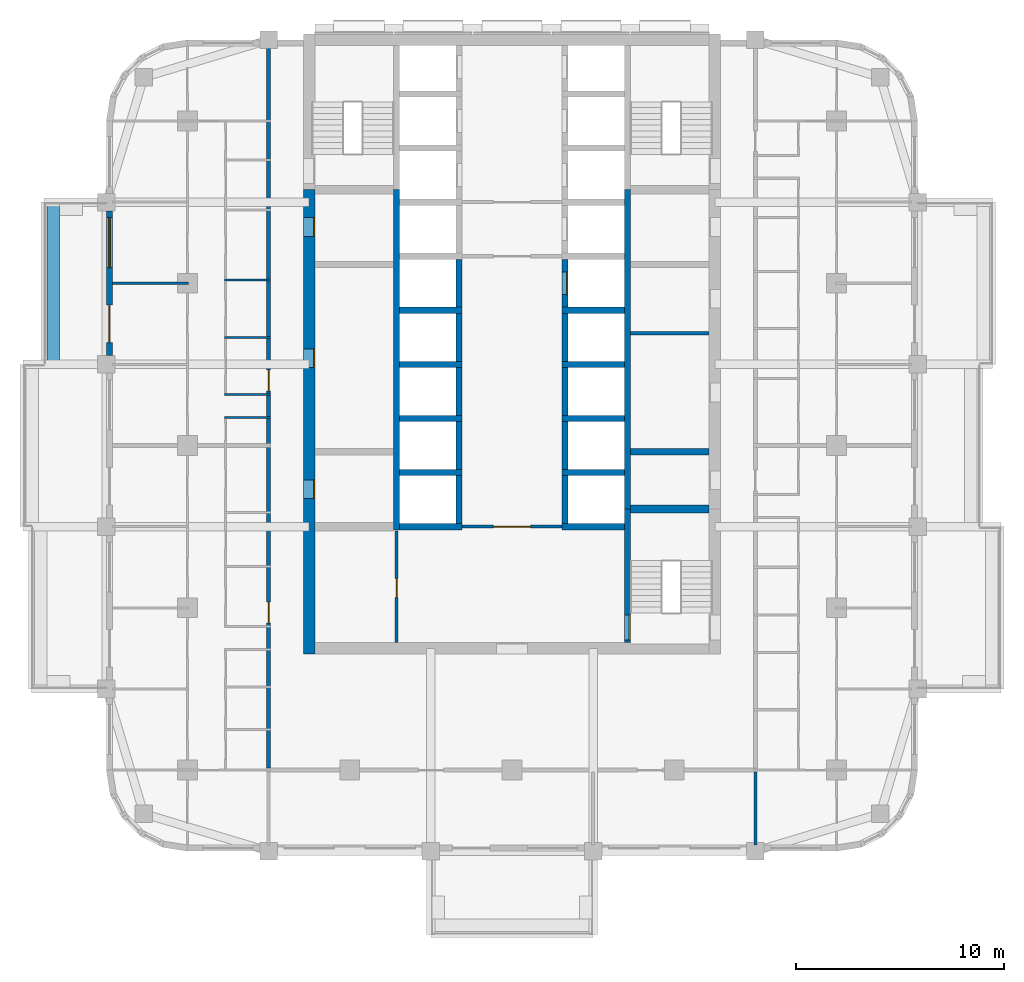
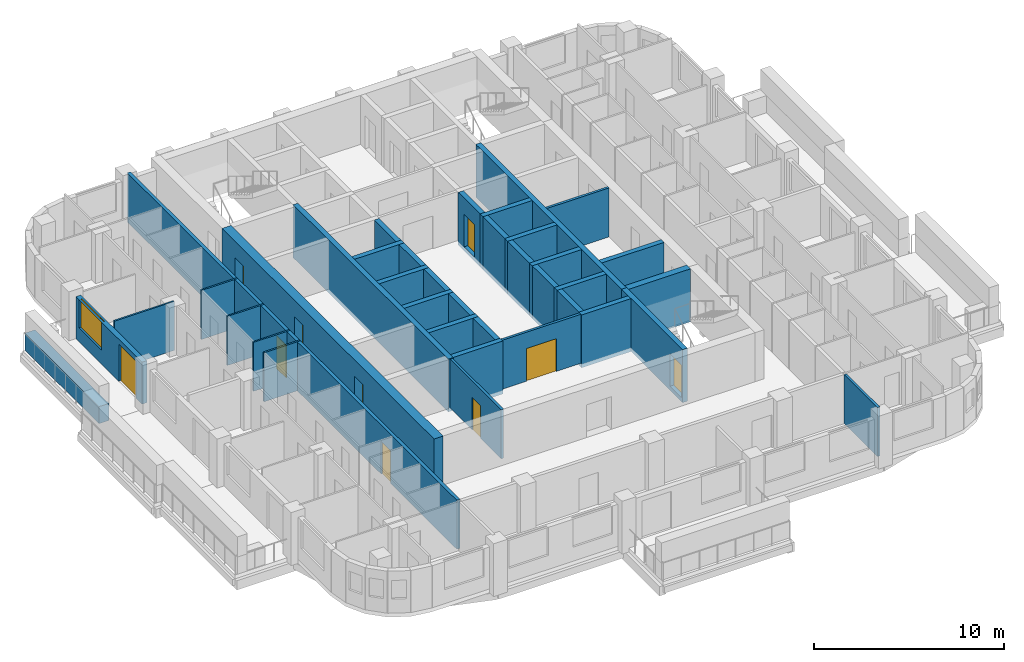
# One storey, part 4 of 12: 38 walls, 10 doors, 1 window, 11 openings.
"""IFC4 building model written with IfcOpenShell, lengths in metres."""

from ifc_helpers import new_model, si_unit, direction, frame, frame_2d, origin, place, context, subcontext, project, spatial, rectangle, extrude, material, layer, layer_set, type_object, element, fill, save


model = new_model("IFC4")

# Units and contexts
model_context = context("Model", 3, precision=1e-05, world=origin(), true_north=direction((0.0, 1.0)))
body_context = subcontext(model_context, "Body", "Model", "MODEL_VIEW")
ifc_project = project(units=[si_unit("LENGTHUNIT", "METRE"), si_unit("AREAUNIT", "SQUARE_METRE"), si_unit("VOLUMEUNIT", "CUBIC_METRE"), si_unit("PLANEANGLEUNIT", "RADIAN"), si_unit("MASSUNIT", "GRAM", prefix="KILO")], contexts=[model_context])

# Site, building, storey
site_placement = place(None, origin())
site = spatial("IfcSite", under=ifc_project, at=site_placement, CompositionType="ELEMENT")
building_placement = place(site_placement, origin())
building = spatial("IfcBuilding", under=site, at=building_placement, Name="Ludao Terraces", CompositionType="ELEMENT")
storey_placement = place(building_placement, frame((0.0, 0.0, 137.300048828125)))
storey = spatial("IfcBuildingStorey", under=building, at=storey_placement, Name="L37", CompositionType="ELEMENT", Elevation=137.300048828125)

# Wall, openings, doors
ifc_material_1 = material(Name="Concrete C60", Category="concrete")
ifc_layer_1 = layer(ifc_material_1, 0.550048828125)
ifc_layer_set_1 = layer_set([ifc_layer_1], Name="Core wall 550 C60")
wall_type_1 = type_object("IfcWallType", Name="Core wall 550 C60", PredefinedType="SOLIDWALL", material=ifc_layer_set_1)
wall_1_placement = place(storey_placement, frame((75.25, 54.97509765625, -0.25), z_axis=(0.0, 0.0, 1.0), x_axis=(0.0, 1.0, 0.0)))
wall_1 = element("IfcWall", 1, at=wall_1_placement, inside=storey, type_object=wall_type_1, Name="Core wall L37 outer-W", PredefinedType="SOLIDWALL", context=body_context, shape_type="SweptSolid", body=[
    extrude(rectangle(XDim=22.324951171875, YDim=0.550048828125, at=frame_2d((11.16259765625, 0.0))), origin(), (0.0, 0.0, 1.0), 3.39990234375),
])
opening_1_placement = place(wall_1_placement, frame((7.47509765625, 0.0, 0.25)))
opening_1 = element("IfcOpeningElement", 2, at=opening_1_placement, cuts=wall_1, Name="Opening R12-029", PredefinedType="OPENING", context=body_context, shape_type="SweptSolid", body=[
    extrude(rectangle(XDim=0.89990234375, YDim=2.10009765625, at=frame_2d((0.449951171875, 1.050048828125))), frame((0.0, 0.28515625, 0.0), z_axis=(0.0, -1.0, 0.0), x_axis=(1.0, 0.0, 0.0)), (0.0, 0.0, 1.0), 0.570068359375),
])
opening_2_placement = place(wall_1_placement, frame((13.77490234375, 0.0, 0.25)))
opening_2 = element("IfcOpeningElement", 3, at=opening_2_placement, cuts=wall_1, Name="Opening R12-043", PredefinedType="OPENING", context=body_context, shape_type="SweptSolid", body=[
    extrude(rectangle(XDim=0.89990234375, YDim=2.10009765625, at=frame_2d((0.449951171875, 1.050048828125))), frame((0.0, 0.28515625, 0.0), z_axis=(0.0, -1.0, 0.0), x_axis=(1.0, 0.0, 0.0)), (0.0, 0.0, 1.0), 0.570068359375),
])
opening_3_placement = place(wall_1_placement, frame((20.074951171875, 0.0, 0.25)))
opening_3 = element("IfcOpeningElement", 4, at=opening_3_placement, cuts=wall_1, Name="Opening R12-057", PredefinedType="OPENING", context=body_context, shape_type="SweptSolid", body=[
    extrude(rectangle(XDim=0.89990234375, YDim=2.10009765625, at=frame_2d((0.449951171875, 1.050048828125))), frame((0.0, 0.28515625, 0.0), z_axis=(0.0, -1.0, 0.0), x_axis=(1.0, 0.0, 0.0)), (0.0, 0.0, 1.0), 0.570068359375),
])
ifc_material_2 = material(Name="Steel Q235", Category="steel")
door_type_1 = type_object("IfcDoorType", Name="INT Riser door 900", OperationType="SINGLE_SWING_LEFT", PredefinedType="DOOR", material=ifc_material_2)
door_1_placement = place(opening_1_placement, origin())
door_1 = element("IfcDoor", 5, at=door_1_placement, inside=storey, type_object=door_type_1, Name="DOOR 029", OperationType="SINGLE_SWING_RIGHT", OverallHeight=2.10009765625, OverallWidth=0.89990234375, PredefinedType="DOOR", context=body_context, shape_type="SweptSolid", body=[
    extrude(rectangle(XDim=0.89990234375, YDim=2.10009765625, at=frame_2d((0.449951171875, 1.050048828125))), frame((0.0, -0.2099609375, 0.0), z_axis=(0.0, -1.0, 0.0), x_axis=(1.0, 0.0, 0.0)), (0.0, 0.0, 1.0), 0.050048828125),
])
fill(opening_1, door_1)
door_2_placement = place(opening_3_placement, origin())
door_2 = element("IfcDoor", 6, at=door_2_placement, inside=storey, type_object=door_type_1, Name="DOOR 057", OperationType="SINGLE_SWING_LEFT", OverallHeight=2.10009765625, OverallWidth=0.89990234375, PredefinedType="DOOR", context=body_context, shape_type="SweptSolid", body=[
    extrude(rectangle(XDim=0.89990234375, YDim=2.10009765625, at=frame_2d((0.449951171875, 1.050048828125))), frame((0.0, -0.2099609375, 0.0), z_axis=(0.0, -1.0, 0.0), x_axis=(1.0, 0.0, 0.0)), (0.0, 0.0, 1.0), 0.050048828125),
])
fill(opening_3, door_2)
ifc_material_3 = material(Name="Timber door leaf", Category="wood")
door_type_2 = type_object("IfcDoorType", Name="INT Room door 900", OperationType="SINGLE_SWING_LEFT", PredefinedType="DOOR", material=ifc_material_3)
door_3_placement = place(opening_2_placement, origin())
door_3 = element("IfcDoor", 7, at=door_3_placement, inside=storey, type_object=door_type_2, Name="DOOR 043", OperationType="SINGLE_SWING_LEFT", OverallHeight=2.10009765625, OverallWidth=0.89990234375, PredefinedType="DOOR", context=body_context, shape_type="SweptSolid", body=[
    extrude(rectangle(XDim=0.89990234375, YDim=2.10009765625, at=frame_2d((0.449951171875, 1.050048828125))), frame((0.0, -0.2099609375, 0.0), z_axis=(0.0, -1.0, 0.0), x_axis=(1.0, 0.0, 0.0)), (0.0, 0.0, 1.0), 0.050048828125),
])
fill(opening_2, door_3)

# Wall
ifc_material_4 = material(Name="Concrete C40", Category="concrete")
ifc_layer_2 = layer(ifc_material_4, 0.60009765625)
ifc_layer_set_2 = layer_set([ifc_layer_2], Name="ENV Planter trough 600")
wall_type_2 = type_object("IfcWallType", Name="ENV Planter trough 600", PredefinedType="USERDEFINED", material=ifc_layer_set_2)
wall_2_placement = place(storey_placement, frame((62.949951171875, 68.89990234375, 0.0), z_axis=(0.0, 0.0, 1.0), x_axis=(0.0, 1.0, 0.0)))
element("IfcWall", 8, at=wall_2_placement, inside=storey, type_object=wall_type_2, Name="PL-L37-W3", ObjectType="PLANTER", PredefinedType="USERDEFINED", context=body_context, shape_type="SweptSolid", body=[
    extrude(rectangle(XDim=7.800048828125, YDim=0.60009765625, at=frame_2d((3.89990234375, 0.0))), origin(), (0.0, 0.0, 1.0), 1.099853515625),
])

# Wall, openings, door, window
ifc_material_5 = material(Name="Granite cladding", Category="masonry")
ifc_layer_3 = layer(ifc_material_5, 0.0400390625, Category="stone")
ifc_material_6 = material(Name="Mineral wool")
ifc_layer_4 = layer(ifc_material_6, 0.06005859375)
ifc_layer_5 = layer(ifc_material_4, 0.199951171875, Category="concrete")
ifc_layer_set_3 = layer_set([ifc_layer_3, ifc_layer_4, ifc_layer_5], Name="ENV Stone-clad wall 300")
wall_type_3 = type_object("IfcWallType", Name="ENV Stone-clad wall 300", PredefinedType="SOLIDWALL", material=ifc_layer_set_3)
wall_3_placement = place(storey_placement, frame((65.64990234375, 69.324951171875, 0.0), z_axis=(0.0, 0.0, 1.0), x_axis=(0.0, 1.0, 0.0)))
wall_3 = element("IfcWall", 9, at=wall_3_placement, inside=storey, type_object=wall_type_3, Name="EW-L37-W4", PredefinedType="SOLIDWALL", context=body_context, shape_type="SweptSolid", body=[
    extrude(rectangle(XDim=6.949951171875, YDim=0.300048828125, at=frame_2d((3.47509765625, 0.0))), origin(), (0.0, 0.0, 1.0), 2.699951171875),
])
opening_4_placement = place(wall_3_placement, frame((0.625, 0.0, 0.0)))
opening_4 = element("IfcOpeningElement", 10, at=opening_4_placement, cuts=wall_3, Name="Opening BD", PredefinedType="OPENING", context=body_context, shape_type="SweptSolid", body=[
    extrude(rectangle(XDim=1.800048828125, YDim=2.39990234375, at=frame_2d((0.89990234375, 1.199951171875))), frame((0.0, 0.16015625, 0.0), z_axis=(0.0, -1.0, 0.0), x_axis=(1.0, 0.0, 0.0)), (0.0, 0.0, 1.0), 0.320068359375),
])
opening_5_placement = place(wall_3_placement, frame((4.22509765625, 0.0, 0.89990234375)))
opening_5 = element("IfcOpeningElement", 11, at=opening_5_placement, cuts=wall_3, Name="Opening W1", PredefinedType="OPENING", context=body_context, shape_type="SweptSolid", body=[
    extrude(rectangle(XDim=2.39990234375, YDim=1.800048828125, at=frame_2d((1.199951171875, 0.89990234375))), frame((0.0, 0.16015625, 0.0), z_axis=(0.0, -1.0, 0.0), x_axis=(1.0, 0.0, 0.0)), (0.0, 0.0, 1.0), 0.320068359375),
])
ifc_material_7 = material(Name="Aluminium glazed door", Category="aluminium")
ifc_layer_6 = layer(ifc_material_7, 0.06005859375)
ifc_layer_set_4 = layer_set([ifc_layer_6], Name="ENV Balcony door BD 1800x2400")
door_type_3 = type_object("IfcDoorType", Name="ENV Balcony door BD 1800x2400", OperationType="DOUBLE_DOOR_SINGLE_SWING", PredefinedType="DOOR", material=ifc_layer_set_4)
door_4_placement = place(opening_4_placement, origin())
door_4 = element("IfcDoor", 12, at=door_4_placement, inside=storey, type_object=door_type_3, Name="BD-L37-W4-1", OperationType="DOUBLE_DOOR_SINGLE_SWING", OverallHeight=2.39990234375, OverallWidth=1.800048828125, PredefinedType="DOOR", context=body_context, shape_type="SweptSolid", body=[
    extrude(rectangle(XDim=1.800048828125, YDim=2.39990234375, at=frame_2d((0.89990234375, 1.199951171875))), frame((0.0, 0.02490234375, 0.0), z_axis=(0.0, -1.0, 0.0), x_axis=(1.0, 0.0, 0.0)), (0.0, 0.0, 1.0), 0.050048828125),
])
fill(opening_4, door_4)
ifc_material_8 = material(Name="Clear glass in aluminium frame", Category="aluminium")
ifc_layer_7 = layer(ifc_material_8, 0.06005859375)
ifc_layer_set_5 = layer_set([ifc_layer_7], Name="ENV Window W1 2400x1800")
window_type = type_object("IfcWindowType", Name="ENV Window W1 2400x1800", PartitioningType="DOUBLE_PANEL_VERTICAL", PredefinedType="WINDOW", material=ifc_layer_set_5)
window_placement = place(opening_5_placement, origin())
window = element("IfcWindow", 13, at=window_placement, inside=storey, type_object=window_type, Name="W-L37-W4-2", OverallHeight=1.800048828125, OverallWidth=2.39990234375, PartitioningType="DOUBLE_PANEL_VERTICAL", PredefinedType="WINDOW", context=body_context, shape_type="SweptSolid", body=[
    extrude(rectangle(XDim=2.39990234375, YDim=1.800048828125, at=frame_2d((1.199951171875, 0.89990234375))), frame((0.0, 0.030029296875, 0.0), z_axis=(0.0, -1.0, 0.0), x_axis=(1.0, 0.0, 0.0)), (0.0, 0.0, 1.0), 0.06005859375),
])
fill(opening_5, window)

# Wall, opening, door
ifc_material_9 = material(Name="Fire-rated gypsum plasterboard", Category="gypsum")
ifc_layer_8 = layer(ifc_material_9, 0.012451171875, Category="gypsum")
ifc_layer_9 = layer(ifc_material_6, 0.10009765625, Name="insulation")
ifc_layer_10 = layer(ifc_material_2, 0.02490234375, Name="stud")
ifc_layer_11 = layer(ifc_material_9, 0.012451171875, Category="gypsum")
ifc_layer_set_6 = layer_set([ifc_layer_8, ifc_layer_9, ifc_layer_10, ifc_layer_11], Name="INT Core partition 150")
wall_type_4 = type_object("IfcWallType", Name="INT Core partition 150", PredefinedType="PARTITIONING", material=ifc_layer_set_6)
wall_4_placement = place(storey_placement, frame((82.60009765625, 61.10009765625, 0.0), z_axis=(0.0, 0.0, 1.0), x_axis=(1.0, 0.0, 0.0)))
wall_4 = element("IfcWall", 14, at=wall_4_placement, inside=storey, type_object=wall_type_4, Name="PW-L37-PW017", PredefinedType="PARTITIONING", context=body_context, shape_type="SweptSolid", body=[
    extrude(rectangle(XDim=4.800048828125, YDim=0.14990234375, at=frame_2d((2.39990234375, 0.0))), origin(), (0.0, 0.0, 1.0), 3.14990234375),
])
opening_6_placement = place(wall_4_placement, frame((1.5, 0.0, 0.0)))
opening_6 = element("IfcOpeningElement", 15, at=opening_6_placement, cuts=wall_4, Name="Opening R12-028", PredefinedType="OPENING", context=body_context, shape_type="SweptSolid", body=[
    extrude(rectangle(XDim=1.800048828125, YDim=2.10009765625, at=frame_2d((0.89990234375, 1.050048828125))), frame((0.0, 0.0849609375, 0.0), z_axis=(0.0, -1.0, 0.0), x_axis=(1.0, 0.0, 0.0)), (0.0, 0.0, 1.0), 0.169921875),
])
door_type_4 = type_object("IfcDoorType", Name="INT Fire lobby door 1800", OperationType="DOUBLE_DOOR_SINGLE_SWING", PredefinedType="DOOR", material=ifc_material_2)
door_5_placement = place(opening_6_placement, origin())
door_5 = element("IfcDoor", 16, at=door_5_placement, inside=storey, type_object=door_type_4, Name="DOOR 028", OperationType="DOUBLE_DOOR_SINGLE_SWING", OverallHeight=2.10009765625, OverallWidth=1.800048828125, PredefinedType="DOOR", context=body_context, shape_type="SweptSolid", body=[
    extrude(rectangle(XDim=1.800048828125, YDim=2.10009765625, at=frame_2d((0.89990234375, 1.050048828125))), frame((0.0, 0.02490234375, 0.0), z_axis=(0.0, -1.0, 0.0), x_axis=(1.0, 0.0, 0.0)), (0.0, 0.0, 1.0), 0.050048828125),
])
fill(opening_6, door_5)

# Wall
wall_5_placement = place(storey_placement, frame((90.7001953125, 70.39990234375, 0.0), z_axis=(0.0, 0.0, 1.0), x_axis=(1.0, 0.0, 0.0)))
element("IfcWall", 17, at=wall_5_placement, inside=storey, type_object=wall_type_4, Name="PW-L37-PW030", PredefinedType="PARTITIONING", context=body_context, shape_type="SweptSolid", body=[
    extrude(rectangle(XDim=3.77490234375, YDim=0.14990234375, at=frame_2d((1.887451171875, 0.0))), origin(), (0.0, 0.0, 1.0), 3.14990234375),
])

# Wall, opening, door
wall_6_placement = place(storey_placement, frame((79.449951171875, 55.525146484375, 0.0), z_axis=(0.0, 0.0, 1.0), x_axis=(0.0, 1.0, 0.0)))
wall_6 = element("IfcWall", 18, at=wall_6_placement, inside=storey, type_object=wall_type_4, Name="PW-L37-PW053", PredefinedType="PARTITIONING", context=body_context, shape_type="SweptSolid", body=[
    extrude(rectangle(XDim=5.375, YDim=0.14990234375, at=frame_2d((2.6875, 0.0))), origin(), (0.0, 0.0, 1.0), 3.14990234375),
])
opening_7_placement = place(wall_6_placement, frame((2.175048828125, 0.0, 0.0)))
opening_7 = element("IfcOpeningElement", 19, at=opening_7_placement, cuts=wall_6, Name="Opening R12-023", PredefinedType="OPENING", context=body_context, shape_type="SweptSolid", body=[
    extrude(rectangle(XDim=0.89990234375, YDim=2.10009765625, at=frame_2d((0.449951171875, 1.050048828125))), frame((0.0, 0.0849609375, 0.0), z_axis=(0.0, -1.0, 0.0), x_axis=(1.0, 0.0, 0.0)), (0.0, 0.0, 1.0), 0.169921875),
])
door_6_placement = place(opening_7_placement, origin())
door_6 = element("IfcDoor", 20, at=door_6_placement, inside=storey, type_object=door_type_2, Name="DOOR 023", OperationType="SINGLE_SWING_LEFT", OverallHeight=2.10009765625, OverallWidth=0.89990234375, PredefinedType="DOOR", context=body_context, shape_type="SweptSolid", body=[
    extrude(rectangle(XDim=0.89990234375, YDim=2.10009765625, at=frame_2d((0.449951171875, 1.050048828125))), frame((0.0, 0.02490234375, 0.0), z_axis=(0.0, -1.0, 0.0), x_axis=(1.0, 0.0, 0.0)), (0.0, 0.0, 1.0), 0.050048828125),
])
fill(opening_7, door_6)

# Wall, openings, doors
ifc_material_10 = material(Name="Autoclaved aerated concrete block B06 A3.5", Category="concrete")
ifc_layer_12 = layer(ifc_material_10, 0.199951171875)
ifc_layer_set_7 = layer_set([ifc_layer_12], Name="INT Entrance wall 200")
wall_type_5 = type_object("IfcWallType", Name="INT Entrance wall 200", PredefinedType="PARTITIONING", material=ifc_layer_set_7)
wall_7_placement = place(storey_placement, frame((73.300048828125, 49.5, 0.0), z_axis=(0.0, 0.0, 1.0), x_axis=(0.0, 1.0, 0.0)))
wall_7 = element("IfcWall", 21, at=wall_7_placement, inside=storey, type_object=wall_type_5, Name="PW-L37-PW052", PredefinedType="PARTITIONING", context=body_context, shape_type="SweptSolid", body=[
    extrude(rectangle(XDim=34.7001953125, YDim=0.199951171875, at=frame_2d((17.35009765625, 0.0))), origin(), (0.0, 0.0, 1.0), 3.14990234375),
])
opening_8_placement = place(wall_7_placement, frame((6.97509765625, 0.0, 0.0)))
opening_8 = element("IfcOpeningElement", 22, at=opening_8_placement, cuts=wall_7, Name="Opening R12-020", PredefinedType="OPENING", context=body_context, shape_type="SweptSolid", body=[
    extrude(rectangle(XDim=1.0, YDim=2.10009765625, at=frame_2d((0.5, 1.050048828125))), frame((0.0, 0.10986328125, 0.0), z_axis=(0.0, -1.0, 0.0), x_axis=(1.0, 0.0, 0.0)), (0.0, 0.0, 1.0), 0.219970703125),
])
opening_9_placement = place(wall_7_placement, frame((18.125, 0.0, 0.0)))
opening_9 = element("IfcOpeningElement", 23, at=opening_9_placement, cuts=wall_7, Name="Opening R12-041", PredefinedType="OPENING", context=body_context, shape_type="SweptSolid", body=[
    extrude(rectangle(XDim=1.0, YDim=2.10009765625, at=frame_2d((0.5, 1.050048828125))), frame((0.0, 0.10986328125, 0.0), z_axis=(0.0, -1.0, 0.0), x_axis=(1.0, 0.0, 0.0)), (0.0, 0.0, 1.0), 0.219970703125),
])
door_type_5 = type_object("IfcDoorType", Name="INT Flat entrance door 1000", OperationType="SINGLE_SWING_LEFT", PredefinedType="DOOR", material=ifc_material_2)
door_7_placement = place(opening_8_placement, origin())
door_7 = element("IfcDoor", 24, at=door_7_placement, inside=storey, type_object=door_type_5, Name="DOOR 020", OperationType="SINGLE_SWING_RIGHT", OverallHeight=2.10009765625, OverallWidth=1.0, PredefinedType="DOOR", context=body_context, shape_type="SweptSolid", body=[
    extrude(rectangle(XDim=1.0, YDim=2.10009765625, at=frame_2d((0.5, 1.050048828125))), frame((0.0, 0.02490234375, 0.0), z_axis=(0.0, -1.0, 0.0), x_axis=(1.0, 0.0, 0.0)), (0.0, 0.0, 1.0), 0.050048828125),
])
fill(opening_8, door_7)
door_8_placement = place(opening_9_placement, origin())
door_8 = element("IfcDoor", 25, at=door_8_placement, inside=storey, type_object=door_type_5, Name="DOOR 041", OperationType="SINGLE_SWING_RIGHT", OverallHeight=2.10009765625, OverallWidth=1.0, PredefinedType="DOOR", context=body_context, shape_type="SweptSolid", body=[
    extrude(rectangle(XDim=1.0, YDim=2.10009765625, at=frame_2d((0.5, 1.050048828125))), frame((0.0, 0.02490234375, 0.0), z_axis=(0.0, -1.0, 0.0), x_axis=(1.0, 0.0, 0.0)), (0.0, 0.0, 1.0), 0.050048828125),
])
fill(opening_9, door_8)

# Walls
ifc_material_11 = material(Name="Gypsum plasterboard", Category="gypsum")
ifc_layer_13 = layer(ifc_material_11, 0.012451171875, Category="gypsum")
ifc_layer_14 = layer(ifc_material_6, 0.06005859375, Name="insulation")
ifc_layer_15 = layer(ifc_material_2, 0.014892578125, Name="stud")
ifc_layer_16 = layer(ifc_material_11, 0.012451171875, Category="gypsum")
ifc_layer_set_8 = layer_set([ifc_layer_13, ifc_layer_14, ifc_layer_15, ifc_layer_16], Name="INT Partition 100")
wall_type_6 = type_object("IfcWallType", Name="INT Partition 100", PredefinedType="PARTITIONING", material=ifc_layer_set_8)
for number, where, z_axis, x_axis, name in (
    (26, (71.18017578125, 66.35009765625, 0.0), (0.0, 0.0, 1.0), (1.0, 0.0, 0.0), "PW-L37-PW024"),
    (27, (71.18017578125, 67.449951171875, 0.0), (0.0, 0.0, 1.0), (1.0, 0.0, 0.0), "PW-L37-PW025"),
    (28, (71.18017578125, 70.199951171875, 0.0), (0.0, 0.0, 1.0), (1.0, 0.0, 0.0), "PW-L37-PW029"),
):
    element("IfcWall", number, at=place(storey_placement, frame(where, z_axis=z_axis, x_axis=x_axis)), inside=storey, type_object=wall_type_6, Name=name, PredefinedType="PARTITIONING", context=body_context, shape_type="SweptSolid", body=[
        extrude(rectangle(XDim=2.219970703125, YDim=0.10009765625, at=frame_2d((1.10986328125, 0.0))), origin(), (0.0, 0.0, 1.0), 3.14990234375),
    ])
wall_8_placement = place(storey_placement, frame((65.800048828125, 72.800048828125, 0.0), z_axis=(0.0, 0.0, 1.0), x_axis=(1.0, 0.0, 0.0)))
element("IfcWall", 29, at=wall_8_placement, inside=storey, type_object=wall_type_6, Name="PW-L37-PW032", PredefinedType="PARTITIONING", context=body_context, shape_type="SweptSolid", body=[
    extrude(rectangle(XDim=3.650146484375, YDim=0.10009765625, at=frame_2d((1.8251953125, 0.0))), origin(), (0.0, 0.0, 1.0), 3.14990234375),
])
wall_9_placement = place(storey_placement, frame((71.18017578125, 72.949951171875, 0.0), z_axis=(0.0, 0.0, 1.0), x_axis=(1.0, 0.0, 0.0)))
element("IfcWall", 30, at=wall_9_placement, inside=storey, type_object=wall_type_6, Name="PW-L37-PW034", PredefinedType="PARTITIONING", context=body_context, shape_type="SweptSolid", body=[
    extrude(rectangle(XDim=2.219970703125, YDim=0.10009765625, at=frame_2d((1.10986328125, 0.0))), origin(), (0.0, 0.0, 1.0), 3.14990234375),
])
ifc_layer_17 = layer(ifc_material_10, 0.14990234375)
ifc_layer_set_9 = layer_set([ifc_layer_17], Name="INT Party wall 150")
wall_type_7 = type_object("IfcWallType", Name="INT Party wall 150", PredefinedType="PARTITIONING", material=ifc_layer_set_9)
wall_10_placement = place(storey_placement, frame((96.699951171875, 45.800048828125, 0.0), z_axis=(0.0, 0.0, 1.0), x_axis=(0.0, 1.0, 0.0)))
element("IfcWall", 31, at=wall_10_placement, inside=storey, type_object=wall_type_7, Name="PW-L37-PW055", PredefinedType="PARTITIONING", context=body_context, shape_type="SweptSolid", body=[
    extrude(rectangle(XDim=3.5, YDim=0.14990234375, at=frame_2d((1.75, 0.0))), origin(), (0.0, 0.0, 1.0), 3.14990234375),
])
ifc_material_12 = material(Name="Concrete C55", Category="concrete")
ifc_layer_18 = layer(ifc_material_12, 0.300048828125)
ifc_layer_set_10 = layer_set([ifc_layer_18], Name="Shaft wall 300 C55")
wall_type_8 = type_object("IfcWallType", Name="Shaft wall 300 C55", PredefinedType="SOLIDWALL", material=ifc_layer_set_10)
wall_11_placement = place(storey_placement, frame((79.449951171875, 60.949951171875, -0.25), z_axis=(0.0, 0.0, 1.0), x_axis=(0.0, 1.0, 0.0)))
element("IfcWall", 32, at=wall_11_placement, inside=storey, type_object=wall_type_8, Name="Core wall L37 back-W", PredefinedType="SOLIDWALL", context=body_context, shape_type="SweptSolid", body=[
    extrude(rectangle(XDim=16.35009765625, YDim=0.300048828125, at=frame_2d((8.175048828125, 0.0))), origin(), (0.0, 0.0, 1.0), 3.39990234375),
])

# Wall, opening, door
wall_12_placement = place(storey_placement, frame((90.550048828125, 55.52490234375, -0.25), z_axis=(0.0, 0.0, 1.0), x_axis=(0.0, 1.0, 0.0)))
wall_12 = element("IfcWall", 33, at=wall_12_placement, inside=storey, type_object=wall_type_8, Name="Core wall L37 back-E-S3", PredefinedType="SOLIDWALL", context=body_context, shape_type="SweptSolid", body=[
    extrude(rectangle(XDim=6.425048828125, YDim=0.300048828125, at=frame_2d((3.21240234375, 0.0))), origin(), (0.0, 0.0, 1.0), 3.39990234375),
])
opening_10_placement = place(wall_12_placement, frame((0.125, 0.0, 0.25)))
opening_10 = element("IfcOpeningElement", 34, at=opening_10_placement, cuts=wall_12, Name="Opening R12-018", PredefinedType="OPENING", context=body_context, shape_type="SweptSolid", body=[
    extrude(rectangle(XDim=1.199951171875, YDim=2.10009765625, at=frame_2d((0.60009765625, 1.050048828125))), frame((0.0, 0.16015625, 0.0), z_axis=(0.0, -1.0, 0.0), x_axis=(1.0, 0.0, 0.0)), (0.0, 0.0, 1.0), 0.320068359375),
])
door_type_6 = type_object("IfcDoorType", Name="INT Stair door 1200", OperationType="DOUBLE_DOOR_SINGLE_SWING", PredefinedType="DOOR", material=ifc_material_2)
door_9_placement = place(opening_10_placement, origin())
door_9 = element("IfcDoor", 35, at=door_9_placement, inside=storey, type_object=door_type_6, Name="DOOR 018", OperationType="DOUBLE_DOOR_SINGLE_SWING", OverallHeight=2.10009765625, OverallWidth=1.199951171875, PredefinedType="DOOR", context=body_context, shape_type="SweptSolid", body=[
    extrude(rectangle(XDim=1.199951171875, YDim=2.10009765625, at=frame_2d((0.60009765625, 1.050048828125))), frame((0.0, -0.0849609375, 0.0), z_axis=(0.0, -1.0, 0.0), x_axis=(1.0, 0.0, 0.0)), (0.0, 0.0, 1.0), 0.050048828125),
])
fill(opening_10, door_9)

# Walls
wall_13_placement = place(storey_placement, frame((90.550048828125, 61.949951171875, -0.25), z_axis=(0.0, 0.0, 1.0), x_axis=(0.0, 1.0, 0.0)))
element("IfcWall", 36, at=wall_13_placement, inside=storey, type_object=wall_type_8, Name="Core wall L37 back-E", PredefinedType="SOLIDWALL", context=body_context, shape_type="SweptSolid", body=[
    extrude(rectangle(XDim=15.35009765625, YDim=0.300048828125, at=frame_2d((7.675048828125, 0.0))), origin(), (0.0, 0.0, 1.0), 3.39990234375),
])
wall_14_placement = place(storey_placement, frame((79.60009765625, 61.10009765625, -0.25), z_axis=(0.0, 0.0, 1.0), x_axis=(1.0, 0.0, 0.0)))
element("IfcWall", 37, at=wall_14_placement, inside=storey, type_object=wall_type_8, Name="Core wall L37 div-W1", PredefinedType="SOLIDWALL", context=body_context, shape_type="SweptSolid", body=[
    extrude(rectangle(XDim=3.0, YDim=0.300048828125, at=frame_2d((1.5, 0.0))), origin(), (0.0, 0.0, 1.0), 3.39990234375),
])
wall_15_placement = place(storey_placement, frame((82.449951171875, 61.25, -0.25), z_axis=(0.0, 0.0, 1.0), x_axis=(0.0, 1.0, 0.0)))
element("IfcWall", 38, at=wall_15_placement, inside=storey, type_object=wall_type_8, Name="Core wall L37 front-W1", PredefinedType="SOLIDWALL", context=body_context, shape_type="SweptSolid", body=[
    extrude(rectangle(XDim=2.300048828125, YDim=0.300048828125, at=frame_2d((1.14990234375, 0.0))), origin(), (0.0, 0.0, 1.0), 3.39990234375),
])
wall_16_placement = place(storey_placement, frame((79.60009765625, 63.699951171875, -0.25), z_axis=(0.0, 0.0, 1.0), x_axis=(1.0, 0.0, 0.0)))
element("IfcWall", 39, at=wall_16_placement, inside=storey, type_object=wall_type_8, Name="Core wall L37 div-W2", PredefinedType="SOLIDWALL", context=body_context, shape_type="SweptSolid", body=[
    extrude(rectangle(XDim=3.0, YDim=0.300048828125, at=frame_2d((1.5, 0.0))), origin(), (0.0, 0.0, 1.0), 3.39990234375),
])
wall_17_placement = place(storey_placement, frame((82.449951171875, 63.85009765625, -0.25), z_axis=(0.0, 0.0, 1.0), x_axis=(0.0, 1.0, 0.0)))
element("IfcWall", 40, at=wall_17_placement, inside=storey, type_object=wall_type_8, Name="Core wall L37 front-W2", PredefinedType="SOLIDWALL", context=body_context, shape_type="SweptSolid", body=[
    extrude(rectangle(XDim=2.2998046875, YDim=0.300048828125, at=frame_2d((1.14990234375, 0.0))), origin(), (0.0, 0.0, 1.0), 3.39990234375),
])
wall_18_placement = place(storey_placement, frame((79.60009765625, 66.300048828125, -0.25), z_axis=(0.0, 0.0, 1.0), x_axis=(1.0, 0.0, 0.0)))
element("IfcWall", 41, at=wall_18_placement, inside=storey, type_object=wall_type_8, Name="Core wall L37 div-W3", PredefinedType="SOLIDWALL", context=body_context, shape_type="SweptSolid", body=[
    extrude(rectangle(XDim=3.0, YDim=0.300048828125, at=frame_2d((1.5, 0.0))), origin(), (0.0, 0.0, 1.0), 3.39990234375),
])
wall_19_placement = place(storey_placement, frame((82.449951171875, 66.449951171875, -0.25), z_axis=(0.0, 0.0, 1.0), x_axis=(0.0, 1.0, 0.0)))
element("IfcWall", 42, at=wall_19_placement, inside=storey, type_object=wall_type_8, Name="Core wall L37 front-W3", PredefinedType="SOLIDWALL", context=body_context, shape_type="SweptSolid", body=[
    extrude(rectangle(XDim=2.300048828125, YDim=0.300048828125, at=frame_2d((1.14990234375, 0.0))), origin(), (0.0, 0.0, 1.0), 3.39990234375),
])
wall_20_placement = place(storey_placement, frame((79.60009765625, 68.89990234375, -0.25), z_axis=(0.0, 0.0, 1.0), x_axis=(1.0, 0.0, 0.0)))
element("IfcWall", 43, at=wall_20_placement, inside=storey, type_object=wall_type_8, Name="Core wall L37 div-W4", PredefinedType="SOLIDWALL", context=body_context, shape_type="SweptSolid", body=[
    extrude(rectangle(XDim=3.0, YDim=0.300048828125, at=frame_2d((1.5, 0.0))), origin(), (0.0, 0.0, 1.0), 3.39990234375),
])
wall_21_placement = place(storey_placement, frame((82.449951171875, 69.050048828125, -0.25), z_axis=(0.0, 0.0, 1.0), x_axis=(0.0, 1.0, 0.0)))
element("IfcWall", 44, at=wall_21_placement, inside=storey, type_object=wall_type_8, Name="Core wall L37 front-W4", PredefinedType="SOLIDWALL", context=body_context, shape_type="SweptSolid", body=[
    extrude(rectangle(XDim=2.300048828125, YDim=0.300048828125, at=frame_2d((1.14990234375, 0.0))), origin(), (0.0, 0.0, 1.0), 3.39990234375),
])
wall_22_placement = place(storey_placement, frame((79.60009765625, 71.5, -0.25), z_axis=(0.0, 0.0, 1.0), x_axis=(1.0, 0.0, 0.0)))
element("IfcWall", 45, at=wall_22_placement, inside=storey, type_object=wall_type_8, Name="Core wall L37 div-W5", PredefinedType="SOLIDWALL", context=body_context, shape_type="SweptSolid", body=[
    extrude(rectangle(XDim=3.0, YDim=0.300048828125, at=frame_2d((1.5, 0.0))), origin(), (0.0, 0.0, 1.0), 3.39990234375),
])
wall_23_placement = place(storey_placement, frame((82.449951171875, 71.64990234375, -0.25), z_axis=(0.0, 0.0, 1.0), x_axis=(0.0, 1.0, 0.0)))
element("IfcWall", 46, at=wall_23_placement, inside=storey, type_object=wall_type_8, Name="Core wall L37 front-W5", PredefinedType="SOLIDWALL", context=body_context, shape_type="SweptSolid", body=[
    extrude(rectangle(XDim=2.300048828125, YDim=0.300048828125, at=frame_2d((1.14990234375, 0.0))), origin(), (0.0, 0.0, 1.0), 3.39990234375),
])
wall_24_placement = place(storey_placement, frame((87.39990234375, 61.10009765625, -0.25), z_axis=(0.0, 0.0, 1.0), x_axis=(1.0, 0.0, 0.0)))
element("IfcWall", 47, at=wall_24_placement, inside=storey, type_object=wall_type_8, Name="Core wall L37 div-E1", PredefinedType="SOLIDWALL", context=body_context, shape_type="SweptSolid", body=[
    extrude(rectangle(XDim=3.0, YDim=0.300048828125, at=frame_2d((1.5, 0.0))), origin(), (0.0, 0.0, 1.0), 3.39990234375),
])
wall_25_placement = place(storey_placement, frame((87.550048828125, 61.25, -0.25), z_axis=(0.0, 0.0, 1.0), x_axis=(0.0, 1.0, 0.0)))
element("IfcWall", 48, at=wall_25_placement, inside=storey, type_object=wall_type_8, Name="Core wall L37 front-E1", PredefinedType="SOLIDWALL", context=body_context, shape_type="SweptSolid", body=[
    extrude(rectangle(XDim=2.300048828125, YDim=0.300048828125, at=frame_2d((1.14990234375, 0.0))), origin(), (0.0, 0.0, 1.0), 3.39990234375),
])
wall_26_placement = place(storey_placement, frame((87.39990234375, 63.699951171875, -0.25), z_axis=(0.0, 0.0, 1.0), x_axis=(1.0, 0.0, 0.0)))
element("IfcWall", 49, at=wall_26_placement, inside=storey, type_object=wall_type_8, Name="Core wall L37 div-E2", PredefinedType="SOLIDWALL", context=body_context, shape_type="SweptSolid", body=[
    extrude(rectangle(XDim=3.0, YDim=0.300048828125, at=frame_2d((1.5, 0.0))), origin(), (0.0, 0.0, 1.0), 3.39990234375),
])
wall_27_placement = place(storey_placement, frame((87.550048828125, 63.85009765625, -0.25), z_axis=(0.0, 0.0, 1.0), x_axis=(0.0, 1.0, 0.0)))
element("IfcWall", 50, at=wall_27_placement, inside=storey, type_object=wall_type_8, Name="Core wall L37 front-E2", PredefinedType="SOLIDWALL", context=body_context, shape_type="SweptSolid", body=[
    extrude(rectangle(XDim=2.2998046875, YDim=0.300048828125, at=frame_2d((1.14990234375, 0.0))), origin(), (0.0, 0.0, 1.0), 3.39990234375),
])
wall_28_placement = place(storey_placement, frame((87.39990234375, 66.300048828125, -0.25), z_axis=(0.0, 0.0, 1.0), x_axis=(1.0, 0.0, 0.0)))
element("IfcWall", 51, at=wall_28_placement, inside=storey, type_object=wall_type_8, Name="Core wall L37 div-E3", PredefinedType="SOLIDWALL", context=body_context, shape_type="SweptSolid", body=[
    extrude(rectangle(XDim=3.0, YDim=0.300048828125, at=frame_2d((1.5, 0.0))), origin(), (0.0, 0.0, 1.0), 3.39990234375),
])
wall_29_placement = place(storey_placement, frame((87.550048828125, 66.449951171875, -0.25), z_axis=(0.0, 0.0, 1.0), x_axis=(0.0, 1.0, 0.0)))
element("IfcWall", 52, at=wall_29_placement, inside=storey, type_object=wall_type_8, Name="Core wall L37 front-E3", PredefinedType="SOLIDWALL", context=body_context, shape_type="SweptSolid", body=[
    extrude(rectangle(XDim=2.300048828125, YDim=0.300048828125, at=frame_2d((1.14990234375, 0.0))), origin(), (0.0, 0.0, 1.0), 3.39990234375),
])
wall_30_placement = place(storey_placement, frame((87.39990234375, 68.89990234375, -0.25), z_axis=(0.0, 0.0, 1.0), x_axis=(1.0, 0.0, 0.0)))
element("IfcWall", 53, at=wall_30_placement, inside=storey, type_object=wall_type_8, Name="Core wall L37 div-E4", PredefinedType="SOLIDWALL", context=body_context, shape_type="SweptSolid", body=[
    extrude(rectangle(XDim=3.0, YDim=0.300048828125, at=frame_2d((1.5, 0.0))), origin(), (0.0, 0.0, 1.0), 3.39990234375),
])
wall_31_placement = place(storey_placement, frame((87.550048828125, 69.050048828125, -0.25), z_axis=(0.0, 0.0, 1.0), x_axis=(0.0, 1.0, 0.0)))
element("IfcWall", 54, at=wall_31_placement, inside=storey, type_object=wall_type_8, Name="Core wall L37 front-E4", PredefinedType="SOLIDWALL", context=body_context, shape_type="SweptSolid", body=[
    extrude(rectangle(XDim=2.300048828125, YDim=0.300048828125, at=frame_2d((1.14990234375, 0.0))), origin(), (0.0, 0.0, 1.0), 3.39990234375),
])
wall_32_placement = place(storey_placement, frame((87.39990234375, 71.5, -0.25), z_axis=(0.0, 0.0, 1.0), x_axis=(1.0, 0.0, 0.0)))
element("IfcWall", 55, at=wall_32_placement, inside=storey, type_object=wall_type_8, Name="Core wall L37 div-E5", PredefinedType="SOLIDWALL", context=body_context, shape_type="SweptSolid", body=[
    extrude(rectangle(XDim=3.0, YDim=0.300048828125, at=frame_2d((1.5, 0.0))), origin(), (0.0, 0.0, 1.0), 3.39990234375),
])

# Wall, opening, door
wall_33_placement = place(storey_placement, frame((87.550048828125, 71.64990234375, -0.25), z_axis=(0.0, 0.0, 1.0), x_axis=(0.0, 1.0, 0.0)))
wall_33 = element("IfcWall", 56, at=wall_33_placement, inside=storey, type_object=wall_type_8, Name="Core wall L37 front-E5", PredefinedType="SOLIDWALL", context=body_context, shape_type="SweptSolid", body=[
    extrude(rectangle(XDim=2.300048828125, YDim=0.300048828125, at=frame_2d((1.14990234375, 0.0))), origin(), (0.0, 0.0, 1.0), 3.39990234375),
])
opening_11_placement = place(wall_33_placement, frame((0.60009765625, 0.0, 0.25)))
opening_11 = element("IfcOpeningElement", 57, at=opening_11_placement, cuts=wall_33, Name="Opening LD-LB1", PredefinedType="OPENING", context=body_context, shape_type="SweptSolid", body=[
    extrude(rectangle(XDim=1.10009765625, YDim=2.10009765625, at=frame_2d((0.550048828125, 1.050048828125))), frame((0.0, 0.16015625, 0.0), z_axis=(0.0, -1.0, 0.0), x_axis=(1.0, 0.0, 0.0)), (0.0, 0.0, 1.0), 0.320068359375),
])
ifc_material_13 = material(Name="Stainless steel 304", Category="steel")
door_type_7 = type_object("IfcDoorType", Name="INT Lift landing door 1100", OperationType="SLIDING_TO_LEFT", PredefinedType="DOOR", material=ifc_material_13)
door_10_placement = place(opening_11_placement, origin())
door_10 = element("IfcDoor", 58, at=door_10_placement, inside=storey, type_object=door_type_7, Name="LANDING DOOR LB1 L37", OperationType="SLIDING_TO_LEFT", OverallHeight=2.10009765625, OverallWidth=1.10009765625, PredefinedType="DOOR", context=body_context, shape_type="SweptSolid", body=[
    extrude(rectangle(XDim=1.10009765625, YDim=2.10009765625, at=frame_2d((0.550048828125, 1.050048828125))), frame((0.0, -0.0849609375, 0.0), z_axis=(0.0, -1.0, 0.0), x_axis=(1.0, 0.0, 0.0)), (0.0, 0.0, 1.0), 0.050048828125),
])
fill(opening_11, door_10)

# Walls
wall_34_placement = place(storey_placement, frame((90.699951171875, 64.699951171875, -0.25), z_axis=(0.0, 0.0, 1.0), x_axis=(1.0, 0.0, 0.0)))
element("IfcWall", 59, at=wall_34_placement, inside=storey, type_object=wall_type_8, Name="Core wall L37 riser-a-E", PredefinedType="SOLIDWALL", context=body_context, shape_type="SweptSolid", body=[
    extrude(rectangle(XDim=3.775146484375, YDim=0.300048828125, at=frame_2d((1.8876953125, 0.0))), origin(), (0.0, 0.0, 1.0), 3.39990234375),
])
ifc_layer_19 = layer(ifc_material_12, 0.39990234375)
ifc_layer_set_11 = layer_set([ifc_layer_19], Name="Shaft wall 400 C55")
wall_type_9 = type_object("IfcWallType", Name="Shaft wall 400 C55", PredefinedType="SOLIDWALL", material=ifc_layer_set_11)
wall_35_placement = place(storey_placement, frame((90.699951171875, 61.949951171875, -0.25), z_axis=(0.0, 0.0, 1.0), x_axis=(1.0, 0.0, 0.0)))
element("IfcWall", 60, at=wall_35_placement, inside=storey, type_object=wall_type_9, Name="Core wall L37 hall-E", PredefinedType="SOLIDWALL", context=body_context, shape_type="SweptSolid", body=[
    extrude(rectangle(XDim=3.775146484375, YDim=0.39990234375, at=frame_2d((1.8876953125, 0.0))), origin(), (0.0, 0.0, 1.0), 3.39990234375),
])

save(model, "model.ifc")
